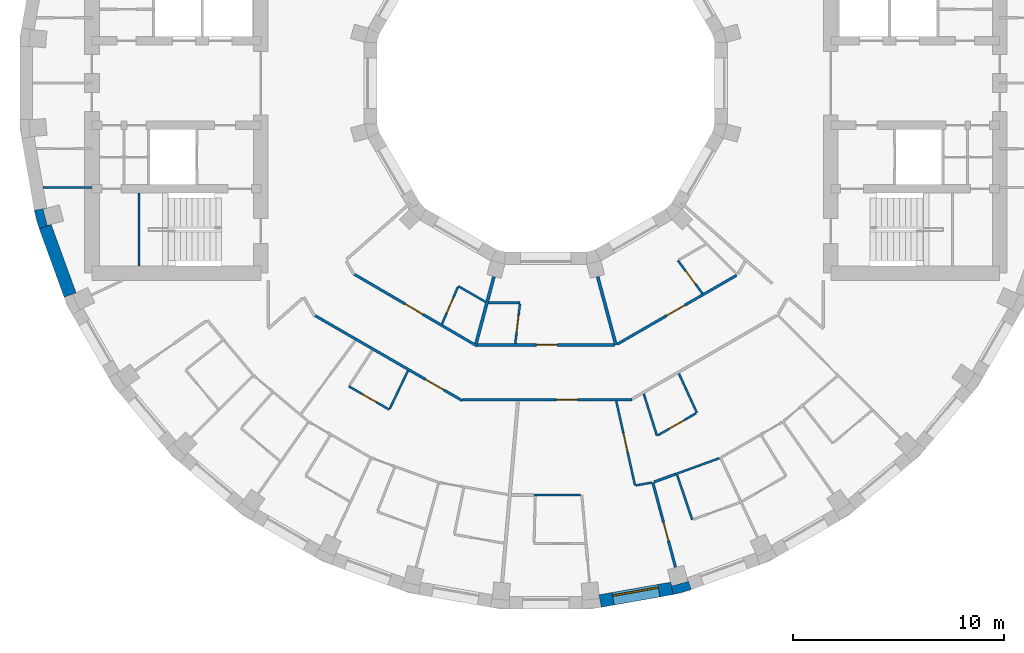
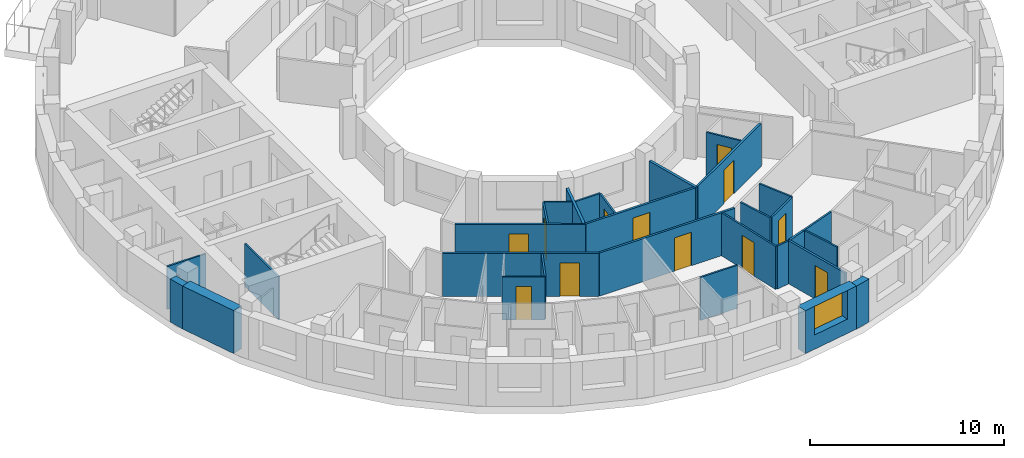
# One storey, part 5 of 14: 30 walls, 12 doors, 1 window, 13 openings.
"""IFC4 building model written with IfcOpenShell, lengths in metres."""

import ifcopenshell
import ifcopenshell.guid

model = None  # the IFC model being written
_history = None  # IfcOwnerHistory: only IFC2X3 demands one
_inside = {}  # id of a spatial element -> (the spatial element, [elements in it])
_under = {}  # id of a project, library or spatial element -> (it, [spatial elements below it])
_declared = {}  # id of a project -> (the project, [libraries it declares])
_typed = {}  # id of a type object -> (the type object, [elements of that type])
_made_of = {}  # id of a material, layer set ... -> (it, [elements and type objects made of it])


def new_model(schema):
    """Start an empty IFC model of exactly this schema.

    Asked for "IFC4X3", IfcOpenShell would pick the latest addendum, in which some entities
    have other attributes; the version numbers below select the first issue.
    IFC2X3 requires an IfcOwnerHistory on every rooted entity: one is made here for all.
    """
    global model, _history
    if schema == "IFC4X3":
        model = ifcopenshell.file(schema_version=(4, 3, 0, 0))
    else:
        model = ifcopenshell.file(schema=schema)
    _inside.clear()
    _under.clear()
    _declared.clear()
    _typed.clear()
    _made_of.clear()
    _history = None
    if model.schema == "IFC2X3":
        org = make("IfcOrganization", Name="unknown")
        user = make(
            "IfcPersonAndOrganization",
            ThePerson=make("IfcPerson", FamilyName="unknown"),
            TheOrganization=org,
        )
        app = make(
            "IfcApplication",
            ApplicationDeveloper=org,
            Version="unknown",
            ApplicationFullName="unknown",
            ApplicationIdentifier="unknown",
        )
        _history = make(
            "IfcOwnerHistory",
            OwningUser=user,
            OwningApplication=app,
            ChangeAction="ADDED",
            CreationDate=0,
        )
    return model


def make(cls, **values):
    """One entity of the class cls with the attributes given. An attribute that is None is left unset."""
    return model.create_entity(
        cls, **{name: value for name, value in values.items() if value is not None}
    )


def rooted(cls, **values):
    """An entity with a GlobalId (a new one), such as an element, a storey or a relation."""
    return make(cls, GlobalId=ifcopenshell.guid.new(), OwnerHistory=_history, **values)


def si_unit(unit_type, name, prefix=None):
    """IfcSIUnit, for example si_unit("LENGTHUNIT", "METRE", prefix="MILLI")."""
    return make("IfcSIUnit", UnitType=unit_type, Prefix=prefix, Name=name)


def assignment(units):
    """IfcUnitAssignment: the units of a project."""
    return None if units is None else make("IfcUnitAssignment", Units=units)


def point(xyz):
    """IfcCartesianPoint."""
    return None if xyz is None else make("IfcCartesianPoint", Coordinates=xyz)


def direction(xyz):
    """IfcDirection."""
    return None if xyz is None else make("IfcDirection", DirectionRatios=xyz)


def frame(location, z_axis=None, x_axis=None):
    """IfcAxis2Placement3D, a coordinate frame: its origin and axes. An axis left out is left unset."""
    return make(
        "IfcAxis2Placement3D",
        Location=point(location),
        Axis=direction(z_axis),
        RefDirection=direction(x_axis),
    )


def frame_2d(location, x_axis=None):
    """IfcAxis2Placement2D, a coordinate frame in the plane: its origin and x axis."""
    return make(
        "IfcAxis2Placement2D", Location=point(location), RefDirection=direction(x_axis)
    )


def origin():
    """The frame at (0, 0, 0) with its axes left unset."""
    return frame((0.0, 0.0, 0.0))


def place(relative_to, where):
    """IfcLocalPlacement: puts the frame where relative to a parent placement (None: the world)."""
    return make(
        "IfcLocalPlacement", PlacementRelTo=relative_to, RelativePlacement=where
    )


def context(
    kind, dimensions, precision=None, world=None, true_north=None, identifier=None
):
    """IfcGeometricRepresentationContext, for example the 3D "Model" context."""
    return make(
        "IfcGeometricRepresentationContext",
        ContextIdentifier=identifier,
        ContextType=kind,
        CoordinateSpaceDimension=dimensions,
        Precision=precision,
        WorldCoordinateSystem=world,
        TrueNorth=true_north,
    )


def subcontext(parent, identifier, kind, view, scale=None):
    """IfcGeometricRepresentationSubContext, for example "Body" below "Model"."""
    return make(
        "IfcGeometricRepresentationSubContext",
        ContextIdentifier=identifier,
        ContextType=kind,
        ParentContext=parent,
        TargetScale=scale,
        TargetView=view,
    )


def project(units=None, contexts=None):
    """IfcProject with its units and contexts."""
    return rooted(
        "IfcProject",
        Name="project",
        RepresentationContexts=contexts,
        UnitsInContext=assignment(units),
    )


def spatial(cls, under=None, at=None, **own):
    """A site, building, storey or space (cls), placed at a placement, below another one or the project."""
    s = rooted(cls, ObjectPlacement=at, **own)
    if under is not None:
        _under.setdefault(under.id(), (under, []))[1].append(s)
    return s


def polyline(points):
    """IfcPolyline through the points."""
    return make("IfcPolyline", Points=[point(p) for p in points])


def profile(cls, at=None, kind="AREA", **sizes):
    """A parametric profile (cls). Its sizes go by their IFC names, for example OverallWidth=200.0."""
    return make(cls, ProfileType=kind, Position=at, **sizes)


def rectangle(**sizes):
    """IfcRectangleProfileDef."""
    return profile("IfcRectangleProfileDef", **sizes)


def outline(outer, holes=None, kind="AREA"):
    """IfcArbitraryClosedProfileDef: a profile drawn as a closed curve; with holes, ...WithVoids."""
    if holes is None:
        return make("IfcArbitraryClosedProfileDef", ProfileType=kind, OuterCurve=outer)
    return make(
        "IfcArbitraryProfileDefWithVoids",
        ProfileType=kind,
        OuterCurve=outer,
        InnerCurves=holes,
    )


def extrude(swept, where, along, depth):
    """IfcExtrudedAreaSolid: the profile swept, set in the frame where, extruded along a direction by depth."""
    return make(
        "IfcExtrudedAreaSolid",
        SweptArea=swept,
        Position=where,
        ExtrudedDirection=direction(along),
        Depth=depth,
    )


def shape(context_of_items, identifier, shape_type, items):
    """IfcShapeRepresentation: the items that make up one representation, for example the "Body"."""
    return make(
        "IfcShapeRepresentation",
        ContextOfItems=context_of_items,
        RepresentationIdentifier=identifier,
        RepresentationType=shape_type,
        Items=items,
    )


def material(Name=None, Category=None):
    """IfcMaterial."""
    return make("IfcMaterial", Name=Name, Category=Category)


def layer(
    of_material, thickness, ventilated=None, Name=None, Category=None, Priority=None
):
    """IfcMaterialLayer: one layer of a wall or slab, of a material (None: an air gap)."""
    return make(
        "IfcMaterialLayer",
        Material=of_material,
        LayerThickness=thickness,
        IsVentilated=ventilated,
        Name=Name,
        Category=Category,
        Priority=Priority,
    )


def layer_set(layers, Name=None):
    """IfcMaterialLayerSet."""
    return make("IfcMaterialLayerSet", MaterialLayers=layers, LayerSetName=Name)


def made_of(thing, what):
    """Note that an element or type object is made of a material, layer set ...; save() writes the relation."""
    if what is not None:
        _made_of.setdefault(what.id(), (what, []))[1].append(thing)
    return thing


def type_object(cls, material=None, **own):
    """A type object (cls), such as IfcWallType, which elements share."""
    return made_of(rooted(cls, **own), material)


def element(
    cls,
    number,
    at=None,
    inside=None,
    cuts=None,
    type_object=None,
    material=None,
    context=None,
    identifier="Body",
    shape_type=None,
    held_by="IfcProductDefinitionShape",
    body=None,
    shapes=None,
    **own,
):
    """One element of the class cls, such as IfcWall. Its Tag is "e" and its number.

    at: its placement. inside: the storey or other place that contains it. cuts: it is an
    opening in that element (IfcRelVoidsElement). A single representation is given by context,
    identifier, shape_type and body (its items); several are given by shapes. held_by: the class
    of the entity that holds the representations. save() writes the other relations.
    """
    e = rooted(cls, Tag="e%d" % number, ObjectPlacement=at, **own)
    if body is not None:
        shapes = [shape(context, identifier, shape_type, body)]
    if shapes is not None:
        e.Representation = make(held_by, Representations=shapes)
    if inside is not None:
        _inside.setdefault(inside.id(), (inside, []))[1].append(e)
    if cuts is not None:
        rooted(
            "IfcRelVoidsElement", RelatingBuildingElement=cuts, RelatedOpeningElement=e
        )
    if type_object is not None:
        _typed.setdefault(type_object.id(), (type_object, []))[1].append(e)
    return made_of(e, material)


def fill(opening, filler):
    """IfcRelFillsElement: the door or window that sits in an opening."""
    return rooted(
        "IfcRelFillsElement",
        RelatingOpeningElement=opening,
        RelatedBuildingElement=filler,
    )


def aggregate(whole, parts):
    """IfcRelAggregates: a whole, such as a stair, and the parts it consists of."""
    return rooted("IfcRelAggregates", RelatingObject=whole, RelatedObjects=parts)


def save(model, path):
    """Write the relations noted so far, then the file.

    IfcRelAggregates (storeys below a building ...), IfcRelContainedInSpatialStructure (elements
    in a storey), IfcRelDefinesByType, IfcRelAssociatesMaterial and IfcRelDeclares: one each for
    every whole, place, type object, material and project.
    """
    for whole, parts in _under.values():
        aggregate(whole, parts)
    for where, things in _inside.values():
        rooted(
            "IfcRelContainedInSpatialStructure",
            RelatedElements=things,
            RelatingStructure=where,
        )
    for kind, things in _typed.values():
        rooted("IfcRelDefinesByType", RelatedObjects=things, RelatingType=kind)
    for what, things in _made_of.values():
        rooted("IfcRelAssociatesMaterial", RelatedObjects=things, RelatingMaterial=what)
    for by, libraries in _declared.values():
        rooted("IfcRelDeclares", RelatingContext=by, RelatedDefinitions=libraries)
    model.write(path)


model = new_model("IFC4")

# Units and contexts
model_context = context("Model", 3, precision=1e-05, world=origin(), true_north=direction((0.0, 1.0)))
body_context = subcontext(model_context, "Body", "Model", "MODEL_VIEW")
ifc_project = project(units=[si_unit("LENGTHUNIT", "METRE"), si_unit("AREAUNIT", "SQUARE_METRE"), si_unit("VOLUMEUNIT", "CUBIC_METRE"), si_unit("PLANEANGLEUNIT", "RADIAN"), si_unit("MASSUNIT", "GRAM", prefix="KILO")], contexts=[model_context])

# Site, building, storey
site_placement = place(None, origin())
site = spatial("IfcSite", under=ifc_project, at=site_placement, CompositionType="ELEMENT")
building_placement = place(site_placement, origin())
building = spatial("IfcBuilding", under=site, at=building_placement, Name="Saqina Gate Tower", CompositionType="ELEMENT")
storey_placement = place(building_placement, frame((0.0, 0.0, 216.89990234375)))
storey = spatial("IfcBuildingStorey", under=building, at=storey_placement, Name="L62", CompositionType="ELEMENT", Elevation=216.89990234375)

# Walls
ifc_material_1 = material(Name="Brick masonry (buff)", Category="masonry")
wall_type_1 = type_object("IfcWallType", Name="BRICK PIER COPING BUFF", PredefinedType="SOLIDWALL", material=ifc_material_1)
wall_1_placement = place(storey_placement, origin())
element("IfcWall", 1, at=wall_1_placement, inside=storey, type_object=wall_type_1, Name="Pier cap L62 column 20", PredefinedType="SOLIDWALL", context=body_context, shape_type="SweptSolid", body=[
    extrude(outline(polyline([(-24.22705078125, -6.0234375), (-23.992919921875, -6.897216796875), (-23.428955078125, -6.69189453125), (-23.610107421875, -6.740478515625), (-23.81689453125, -5.967529296875), (-23.635986328125, -5.919189453125), (-24.22705078125, -6.0234375)])), origin(), (0.0, 0.0, 1.0), 2.7001953125),
])
wall_2_placement = place(storey_placement, origin())
element("IfcWall", 2, at=wall_2_placement, inside=storey, type_object=wall_type_1, Name="Pier cap L62 column 29", PredefinedType="SOLIDWALL", context=body_context, shape_type="SweptSolid", body=[
    extrude(outline(polyline([(6.0234375, -24.22705078125), (6.897216796875, -23.992919921875), (6.69189453125, -23.428955078125), (6.740478515625, -23.610107421875), (5.967529296875, -23.81689453125), (5.919189453125, -23.635986328125), (6.0234375, -24.22705078125)])), origin(), (0.0, 0.0, 1.0), 2.7001953125),
])
ifc_material_2 = material(Name="Gypsum board on steel studs", Category="steel")
ifc_layer_1 = layer(ifc_material_2, 0.10009765625)
ifc_layer_set_1 = layer_set([ifc_layer_1], Name="CORE PARTITION")
wall_type_2 = type_object("IfcWallType", Name="CORE PARTITION", PredefinedType="PARTITIONING", material=ifc_layer_set_1)
wall_3_placement = place(storey_placement, frame((-21.5, -4.949951171875, 0.0), z_axis=(0.0, 0.0, 1.0), x_axis=(-1.0, 0.0, 0.0)))
element("IfcWall", 3, at=wall_3_placement, inside=storey, type_object=wall_type_2, Name="L62-CP-W03", PredefinedType="PARTITIONING", context=body_context, shape_type="SweptSolid", body=[
    extrude(rectangle(XDim=2.306884765625, YDim=0.10009765625, at=frame_2d((1.1533203125, 0.0))), origin(), (0.0, 0.0, 1.0), 2.7001953125),
])

# Wall, opening, window
ifc_material_3 = material(Name="Brick masonry (buff)", Category="masonry")
ifc_layer_2 = layer(ifc_material_3, 0.60009765625)
ifc_layer_set_2 = layer_set([ifc_layer_2], Name="FW-BRICK-BUFF")
wall_type_3 = type_object("IfcWallType", Name="FW-BRICK-BUFF", PredefinedType="SOLIDWALL", material=ifc_layer_set_2)
wall_4_placement = place(storey_placement, frame((2.573974609375, -24.530517578125, 0.0), z_axis=(0.0, 0.0, 1.0), x_axis=(0.984814892183, 0.173607684551, 0.0)))
wall_4 = element("IfcWall", 4, at=wall_4_placement, inside=storey, type_object=wall_type_3, Name="Facade wall L62 facet 28", PredefinedType="SOLIDWALL", context=body_context, shape_type="SweptSolid", body=[
    extrude(rectangle(XDim=3.44970703125, YDim=0.60009765625, at=frame_2d((1.724853515625, 0.0))), origin(), (0.0, 0.0, 1.0), 2.7001953125),
])
opening_1_placement = place(wall_4_placement, frame((0.625, 0.0, 0.89990234375)))
opening_1 = element("IfcOpeningElement", 5, at=opening_1_placement, cuts=wall_4, Name="Opening G18-W17", PredefinedType="OPENING", context=body_context, shape_type="SweptSolid", body=[
    extrude(rectangle(XDim=2.199951171875, YDim=1.800048828125, at=frame_2d((1.10009765625, 0.89990234375))), frame((0.0, 0.31201171875, 0.0), z_axis=(0.0, -1.0, 0.0), x_axis=(1.0, 0.0, 0.0)), (0.0, 0.0, 1.0), 0.6240234375),
])
ifc_material_4 = material(Name="Aluminium glazing", Category="aluminium")
window_type = type_object("IfcWindowType", Name="WN-C", PartitioningType="SINGLE_PANEL", PredefinedType="WINDOW", material=ifc_material_4)
window_placement = place(opening_1_placement, origin())
window = element("IfcWindow", 6, at=window_placement, inside=storey, type_object=window_type, Name="Window L62 facet 28", OverallHeight=1.800048828125, OverallWidth=2.199951171875, PartitioningType="SINGLE_PANEL", PredefinedType="WINDOW", context=body_context, shape_type="SweptSolid", body=[
    extrude(rectangle(XDim=2.199951171875, YDim=1.800048828125, at=frame_2d((1.10009765625, 0.89990234375))), frame((0.0, 0.179931640625, 0.0), z_axis=(0.0, -1.0, 0.0), x_axis=(1.0, 0.0, 0.0)), (0.0, 0.0, 1.0), 0.06005859375),
])
fill(opening_1, window)

# Wall
ifc_material_5 = material(Name="Glazed ceramic tile (dark blue)", Category="ceramic")
ifc_layer_3 = layer(ifc_material_5, 0.60009765625)
ifc_layer_set_3 = layer_set([ifc_layer_3], Name="FW-TILE-CB")
wall_type_4 = type_object("IfcWallType", Name="FW-TILE-CB", PredefinedType="SOLIDWALL", material=ifc_layer_set_3)
wall_5_placement = place(storey_placement, frame((-23.7109375, -6.79443359375, 0.0), z_axis=(0.0, 0.0, 1.0), x_axis=(0.342032843455, -0.93968799822, 0.0)))
element("IfcWall", 7, at=wall_5_placement, inside=storey, type_object=wall_type_4, Name="Facade wall L62 facet 20", PredefinedType="SOLIDWALL", context=body_context, shape_type="SweptSolid", body=[
    extrude(rectangle(XDim=3.44970703125, YDim=0.60009765625, at=frame_2d((1.724853515625, 0.0))), origin(), (0.0, 0.0, 1.0), 2.7001953125),
])

# Wall, opening, door
ifc_material_6 = material(Name="Gypsum board on steel studs, 100 mm", Category="steel")
ifc_layer_4 = layer(ifc_material_6, 0.10009765625)
ifc_layer_set_4 = layer_set([ifc_layer_4], Name="PARTITION 100")
wall_type_5 = type_object("IfcWallType", Name="PARTITION 100", PredefinedType="PARTITIONING", material=ifc_layer_set_4)
wall_6_placement = place(storey_placement, frame((3.33837890625, -15.06103515625, 0.0), z_axis=(0.0, 0.0, 1.0), x_axis=(0.216772684832, -0.976222107469, 0.0)))
wall_6 = element("IfcWall", 8, at=wall_6_placement, inside=storey, type_object=wall_type_5, Name="PARTITION PW3-03", PredefinedType="PARTITIONING", context=body_context, shape_type="SweptSolid", body=[
    extrude(rectangle(XDim=4.09619140625, YDim=0.10009765625, at=frame_2d((2.048095703125, 0.0))), origin(), (0.0, 0.0, 1.0), 2.7001953125),
])
opening_2_placement = place(wall_6_placement, frame((1.56640625, 0.0, 0.0)))
opening_2 = element("IfcOpeningElement", 9, at=opening_2_placement, cuts=wall_6, Name="Opening G18-D46", PredefinedType="OPENING", context=body_context, shape_type="SweptSolid", body=[
    extrude(rectangle(XDim=0.89990234375, YDim=2.10009765625, at=frame_2d((0.449951171875, 1.050048828125))), frame((0.0, 0.06201171875, 0.0), z_axis=(0.0, -1.0, 0.0), x_axis=(1.0, 0.0, 0.0)), (0.0, 0.0, 1.0), 0.1240234375),
])
ifc_material_7 = material(Name="Timber door leaf, 900 mm", Category="wood")
door_type_1 = type_object("IfcDoorType", Name="DOOR 900 TIMBER", OperationType="SINGLE_SWING_LEFT", PredefinedType="DOOR", material=ifc_material_7)
door_1_placement = place(opening_2_placement, frame((0.89990234375, 0.0, 0.0), z_axis=(0.0, 0.0, 1.0), x_axis=(-1.0, 0.0, 0.0)))
door_1 = element("IfcDoor", 10, at=door_1_placement, inside=storey, type_object=door_type_1, Name="DOOR G18-D46", OperationType="SINGLE_SWING_RIGHT", OverallHeight=2.10009765625, OverallWidth=0.89990234375, PredefinedType="DOOR", context=body_context, shape_type="SweptSolid", body=[
    extrude(rectangle(XDim=0.89990234375, YDim=2.10009765625, at=frame_2d((0.449951171875, 1.050048828125))), frame((0.0, 0.02490234375, 0.0), z_axis=(0.0, -1.0, 0.0), x_axis=(1.0, 0.0, 0.0)), (0.0, 0.0, 1.0), 0.050048828125),
])
fill(opening_2, door_1)

# Walls
wall_7_placement = place(storey_placement, frame((4.638916015625, -14.712646484375, 0.0), z_axis=(0.0, 0.0, 1.0), x_axis=(0.300689491928, -0.953722092354, 0.0)))
element("IfcWall", 11, at=wall_7_placement, inside=storey, type_object=wall_type_5, Name="PARTITION PW3-05", PredefinedType="PARTITIONING", context=body_context, shape_type="SweptSolid", body=[
    extrude(rectangle(XDim=2.089111328125, YDim=0.10009765625, at=frame_2d((1.04443359375, 0.0))), origin(), (0.0, 0.0, 1.0), 2.7001953125),
])
wall_8_placement = place(storey_placement, frame((6.222900390625, -18.558349609375, 0.0), z_axis=(0.0, 0.0, 1.0), x_axis=(0.318223462583, -0.948015731864, 0.0)))
element("IfcWall", 12, at=wall_8_placement, inside=storey, type_object=wall_type_5, Name="PARTITION PW3-06", PredefinedType="PARTITIONING", context=body_context, shape_type="SweptSolid", body=[
    extrude(rectangle(XDim=2.238037109375, YDim=0.10009765625, at=frame_2d((1.119140625, 0.0))), origin(), (0.0, 0.0, 1.0), 2.7001953125),
])
wall_9_placement = place(storey_placement, frame((6.303955078125, -13.7529296875, 0.0), z_axis=(0.0, 0.0, 1.0), x_axis=(0.41684777826, -0.90897630869, 0.0)))
element("IfcWall", 13, at=wall_9_placement, inside=storey, type_object=wall_type_5, Name="PARTITION PW3-08", PredefinedType="PARTITIONING", context=body_context, shape_type="SweptSolid", body=[
    extrude(rectangle(XDim=2.04638671875, YDim=0.10009765625, at=frame_2d((1.023193359375, 0.0))), origin(), (0.0, 0.0, 1.0), 2.7001953125),
])

# Wall, opening, door
wall_10_placement = place(storey_placement, frame((6.2548828125, -8.39697265625, 0.0), z_axis=(0.0, 0.0, 1.0), x_axis=(0.597394562497, -0.801947465049, 0.0)))
wall_10 = element("IfcWall", 14, at=wall_10_placement, inside=storey, type_object=wall_type_5, Name="PARTITION PW3-13", PredefinedType="PARTITIONING", context=body_context, shape_type="SweptSolid", body=[
    extrude(rectangle(XDim=1.951416015625, YDim=0.10009765625, at=frame_2d((0.9755859375, 0.0))), origin(), (0.0, 0.0, 1.0), 2.7001953125),
])
opening_3_placement = place(wall_10_placement, frame((0.60693359375, 0.0, 0.0)))
opening_3 = element("IfcOpeningElement", 15, at=opening_3_placement, cuts=wall_10, Name="Opening G18-D53", PredefinedType="OPENING", context=body_context, shape_type="SweptSolid", body=[
    extrude(rectangle(XDim=0.800048828125, YDim=2.10009765625, at=frame_2d((0.39990234375, 1.050048828125))), frame((0.0, 0.06201171875, 0.0), z_axis=(0.0, -1.0, 0.0), x_axis=(1.0, 0.0, 0.0)), (0.0, 0.0, 1.0), 0.1240234375),
])
ifc_material_8 = material(Name="Timber door leaf, 800 mm", Category="wood")
door_type_2 = type_object("IfcDoorType", Name="DOOR 800 TIMBER", OperationType="SINGLE_SWING_LEFT", PredefinedType="DOOR", material=ifc_material_8)
door_2_placement = place(opening_3_placement, frame((0.800048828125, 0.0, 0.0), z_axis=(0.0, 0.0, 1.0), x_axis=(-1.0, 0.0, 0.0)))
door_2 = element("IfcDoor", 16, at=door_2_placement, inside=storey, type_object=door_type_2, Name="DOOR G18-D53", OperationType="SINGLE_SWING_LEFT", OverallHeight=2.10009765625, OverallWidth=0.800048828125, PredefinedType="DOOR", context=body_context, shape_type="SweptSolid", body=[
    extrude(rectangle(XDim=0.800048828125, YDim=2.10009765625, at=frame_2d((0.39990234375, 1.050048828125))), frame((0.0, 0.02490234375, 0.0), z_axis=(0.0, -1.0, 0.0), x_axis=(1.0, 0.0, 0.0)), (0.0, 0.0, 1.0), 0.050048828125),
])
fill(opening_3, door_2)

wall_11_placement = place(storey_placement, frame((-9.325927734375, -14.361083984375, 0.0), z_axis=(0.0, 0.0, 1.0), x_axis=(0.866099077695, -0.499872371326, 0.0)))
wall_11 = element("IfcWall", 17, at=wall_11_placement, inside=storey, type_object=wall_type_5, Name="PARTITION PW3-27", PredefinedType="PARTITIONING", context=body_context, shape_type="SweptSolid", body=[
    extrude(rectangle(XDim=2.20849609375, YDim=0.10009765625, at=frame_2d((1.104248046875, 0.0))), origin(), (0.0, 0.0, 1.0), 2.7001953125),
])
opening_4_placement = place(wall_11_placement, frame((0.704345703125, 0.0, 0.0)))
opening_4 = element("IfcOpeningElement", 18, at=opening_4_placement, cuts=wall_11, Name="Opening G18-D33", PredefinedType="OPENING", context=body_context, shape_type="SweptSolid", body=[
    extrude(rectangle(XDim=0.800048828125, YDim=2.10009765625, at=frame_2d((0.39990234375, 1.050048828125))), frame((0.0, 0.06201171875, 0.0), z_axis=(0.0, -1.0, 0.0), x_axis=(1.0, 0.0, 0.0)), (0.0, 0.0, 1.0), 0.1240234375),
])
door_3_placement = place(opening_4_placement, frame((0.800048828125, 0.0, 0.0), z_axis=(0.0, 0.0, 1.0), x_axis=(-1.0, 0.0, 0.0)))
door_3 = element("IfcDoor", 19, at=door_3_placement, inside=storey, type_object=door_type_2, Name="DOOR G18-D33", OperationType="SINGLE_SWING_LEFT", OverallHeight=2.10009765625, OverallWidth=0.800048828125, PredefinedType="DOOR", context=body_context, shape_type="SweptSolid", body=[
    extrude(rectangle(XDim=0.800048828125, YDim=2.10009765625, at=frame_2d((0.39990234375, 1.050048828125))), frame((0.0, 0.02490234375, 0.0), z_axis=(0.0, -1.0, 0.0), x_axis=(1.0, 0.0, 0.0)), (0.0, 0.0, 1.0), 0.050048828125),
])
fill(opening_4, door_3)

# Walls
wall_12_placement = place(storey_placement, frame((-4.14501953125, -9.615966796875, 0.0), z_axis=(0.0, 0.0, 1.0), x_axis=(0.866000409959, -0.500043288077, 0.0)))
element("IfcWall", 20, at=wall_12_placement, inside=storey, type_object=wall_type_5, Name="PARTITION PW3-28", PredefinedType="PARTITIONING", context=body_context, shape_type="SweptSolid", body=[
    extrude(rectangle(XDim=1.492919921875, YDim=0.10009765625, at=frame_2d((0.74658203125, 0.0))), origin(), (0.0, 0.0, 1.0), 2.7001953125),
])
wall_13_placement = place(storey_placement, frame((-0.548095703125, -19.5048828125, 0.0), z_axis=(0.0, 0.0, 1.0), x_axis=(1.0, 0.0, 0.0)))
element("IfcWall", 21, at=wall_13_placement, inside=storey, type_object=wall_type_5, Name="PARTITION PW3-43", PredefinedType="PARTITIONING", context=body_context, shape_type="SweptSolid", body=[
    extrude(rectangle(XDim=2.2021484375, YDim=0.10009765625, at=frame_2d((1.10107421875, 0.0))), origin(), (0.0, 0.0, 1.0), 2.7001953125),
])
wall_14_placement = place(storey_placement, frame((-2.7119140625, -10.39990234375, 0.0), z_axis=(0.0, 0.0, 1.0), x_axis=(1.0, 0.0, 0.0)))
element("IfcWall", 22, at=wall_14_placement, inside=storey, type_object=wall_type_5, Name="PARTITION PW3-44", PredefinedType="PARTITIONING", context=body_context, shape_type="SweptSolid", body=[
    extrude(rectangle(XDim=1.492919921875, YDim=0.10009765625, at=frame_2d((0.74658203125, 0.0))), origin(), (0.0, 0.0, 1.0), 2.7001953125),
])
wall_15_placement = place(storey_placement, frame((4.2763671875, -19.051513671875, 0.0), z_axis=(0.0, 0.0, 1.0), x_axis=(0.984820011125, 0.173578644101, 0.0)))
element("IfcWall", 23, at=wall_15_placement, inside=storey, type_object=wall_type_5, Name="PARTITION PW3-48", PredefinedType="PARTITIONING", context=body_context, shape_type="SweptSolid", body=[
    extrude(rectangle(XDim=0.7412109375, YDim=0.10009765625, at=frame_2d((0.37060546875, 0.0))), origin(), (0.0, 0.0, 1.0), 2.7001953125),
])
wall_16_placement = place(storey_placement, frame((6.156005859375, -18.51611328125, 0.0), z_axis=(0.0, 0.0, 1.0), x_axis=(0.939728749343, 0.341920864613, 0.0)))
element("IfcWall", 24, at=wall_16_placement, inside=storey, type_object=wall_type_5, Name="PARTITION PW3-51", PredefinedType="PARTITIONING", context=body_context, shape_type="SweptSolid", body=[
    extrude(rectangle(XDim=2.204833984375, YDim=0.10009765625, at=frame_2d((1.1025390625, 0.0))), origin(), (0.0, 0.0, 1.0), 2.7001953125),
])

# Wall, opening, door
wall_17_placement = place(storey_placement, frame((5.310302734375, -16.679931640625, 0.0), z_axis=(0.0, 0.0, 1.0), x_axis=(0.865867329874, 0.500273692149, 0.0)))
wall_17 = element("IfcWall", 25, at=wall_17_placement, inside=storey, type_object=wall_type_5, Name="PARTITION PW3-57", PredefinedType="PARTITIONING", context=body_context, shape_type="SweptSolid", body=[
    extrude(rectangle(XDim=2.082763671875, YDim=0.10009765625, at=frame_2d((1.04150390625, 0.0))), origin(), (0.0, 0.0, 1.0), 2.7001953125),
])
opening_5_placement = place(wall_17_placement, frame((0.641357421875, 0.0, 0.0)))
opening_5 = element("IfcOpeningElement", 26, at=opening_5_placement, cuts=wall_17, Name="Opening G18-D48", PredefinedType="OPENING", context=body_context, shape_type="SweptSolid", body=[
    extrude(rectangle(XDim=0.800048828125, YDim=2.10009765625, at=frame_2d((0.39990234375, 1.050048828125))), frame((0.0, 0.06201171875, 0.0), z_axis=(0.0, -1.0, 0.0), x_axis=(1.0, 0.0, 0.0)), (0.0, 0.0, 1.0), 0.1240234375),
])
door_4_placement = place(opening_5_placement, frame((0.800048828125, 0.0, 0.0), z_axis=(0.0, 0.0, 1.0), x_axis=(-1.0, 0.0, 0.0)))
door_4 = element("IfcDoor", 27, at=door_4_placement, inside=storey, type_object=door_type_2, Name="DOOR G18-D48", OperationType="SINGLE_SWING_LEFT", OverallHeight=2.10009765625, OverallWidth=0.800048828125, PredefinedType="DOOR", context=body_context, shape_type="SweptSolid", body=[
    extrude(rectangle(XDim=0.800048828125, YDim=2.10009765625, at=frame_2d((0.39990234375, 1.050048828125))), frame((0.0, 0.02490234375, 0.0), z_axis=(0.0, -1.0, 0.0), x_axis=(1.0, 0.0, 0.0)), (0.0, 0.0, 1.0), 0.050048828125),
])
fill(opening_5, door_4)

# Wall
wall_18_placement = place(storey_placement, frame((-7.391357421875, -15.419921875, 0.0), z_axis=(0.0, 0.0, 1.0), x_axis=(0.432109804396, 0.901821000501, 0.0)))
element("IfcWall", 28, at=wall_18_placement, inside=storey, type_object=wall_type_5, Name="PARTITION PW3-78", PredefinedType="PARTITIONING", context=body_context, shape_type="SweptSolid", body=[
    extrude(rectangle(XDim=1.993408203125, YDim=0.10009765625, at=frame_2d((0.99658203125, 0.0))), origin(), (0.0, 0.0, 1.0), 2.7001953125),
])

# Wall, opening, door
wall_19_placement = place(storey_placement, frame((-4.917236328125, -11.40771484375, 0.0), z_axis=(0.0, 0.0, 1.0), x_axis=(0.395793869696, 0.918339377742, 0.0)))
wall_19 = element("IfcWall", 29, at=wall_19_placement, inside=storey, type_object=wall_type_5, Name="PARTITION PW3-81", PredefinedType="PARTITIONING", context=body_context, shape_type="SweptSolid", body=[
    extrude(rectangle(XDim=1.901123046875, YDim=0.10009765625, at=frame_2d((0.95068359375, 0.0))), origin(), (0.0, 0.0, 1.0), 2.7001953125),
])
opening_6_placement = place(wall_19_placement, frame((0.544189453125, 0.0, 0.0)))
opening_6 = element("IfcOpeningElement", 30, at=opening_6_placement, cuts=wall_19, Name="Opening G18-D35", PredefinedType="OPENING", context=body_context, shape_type="SweptSolid", body=[
    extrude(rectangle(XDim=0.800048828125, YDim=2.10009765625, at=frame_2d((0.39990234375, 1.050048828125))), frame((0.0, 0.06201171875, 0.0), z_axis=(0.0, -1.0, 0.0), x_axis=(1.0, 0.0, 0.0)), (0.0, 0.0, 1.0), 0.1240234375),
])
door_5_placement = place(opening_6_placement, origin())
door_5 = element("IfcDoor", 31, at=door_5_placement, inside=storey, type_object=door_type_2, Name="DOOR G18-D35", OperationType="SINGLE_SWING_LEFT", OverallHeight=2.10009765625, OverallWidth=0.800048828125, PredefinedType="DOOR", context=body_context, shape_type="SweptSolid", body=[
    extrude(rectangle(XDim=0.800048828125, YDim=2.10009765625, at=frame_2d((0.39990234375, 1.050048828125))), frame((0.0, 0.02490234375, 0.0), z_axis=(0.0, -1.0, 0.0), x_axis=(1.0, 0.0, 0.0)), (0.0, 0.0, 1.0), 0.050048828125),
])
fill(opening_6, door_5)

wall_20_placement = place(storey_placement, frame((-1.44580078125, -12.337890625, 0.0), z_axis=(0.0, 0.0, 1.0), x_axis=(0.116222778511, 0.993223170166, 0.0)))
wall_20 = element("IfcWall", 32, at=wall_20_placement, inside=storey, type_object=wall_type_5, Name="PARTITION PW3-90", PredefinedType="PARTITIONING", context=body_context, shape_type="SweptSolid", body=[
    extrude(rectangle(XDim=1.901123046875, YDim=0.10009765625, at=frame_2d((0.95068359375, 0.0))), origin(), (0.0, 0.0, 1.0), 2.7001953125),
])
opening_7_placement = place(wall_20_placement, frame((0.544189453125, 0.0, 0.0)))
opening_7 = element("IfcOpeningElement", 33, at=opening_7_placement, cuts=wall_20, Name="Opening G18-D41", PredefinedType="OPENING", context=body_context, shape_type="SweptSolid", body=[
    extrude(rectangle(XDim=0.800048828125, YDim=2.10009765625, at=frame_2d((0.39990234375, 1.050048828125))), frame((0.0, 0.06201171875, 0.0), z_axis=(0.0, -1.0, 0.0), x_axis=(1.0, 0.0, 0.0)), (0.0, 0.0, 1.0), 0.1240234375),
])
door_6_placement = place(opening_7_placement, frame((0.800048828125, 0.0, 0.0), z_axis=(0.0, 0.0, 1.0), x_axis=(-1.0, 0.0, 0.0)))
door_6 = element("IfcDoor", 34, at=door_6_placement, inside=storey, type_object=door_type_2, Name="DOOR G18-D41", OperationType="SINGLE_SWING_RIGHT", OverallHeight=2.10009765625, OverallWidth=0.800048828125, PredefinedType="DOOR", context=body_context, shape_type="SweptSolid", body=[
    extrude(rectangle(XDim=0.800048828125, YDim=2.10009765625, at=frame_2d((0.39990234375, 1.050048828125))), frame((0.0, 0.02490234375, 0.0), z_axis=(0.0, -1.0, 0.0), x_axis=(1.0, 0.0, 0.0)), (0.0, 0.0, 1.0), 0.050048828125),
])
fill(opening_7, door_6)

ifc_material_9 = material(Name="Gypsum board on steel studs, 125 mm, fire rated", Category="steel")
ifc_layer_5 = layer(ifc_material_9, 0.125)
ifc_layer_set_5 = layer_set([ifc_layer_5], Name="PARTITION EI 30 125")
wall_type_6 = type_object("IfcWallType", Name="PARTITION EI 30 125", PredefinedType="PARTITIONING", material=ifc_layer_set_5)
wall_21_placement = place(storey_placement, frame((5.068115234375, -18.912109375, 0.0), z_axis=(0.0, 0.0, 1.0), x_axis=(0.258780082079, -0.965936265557, 0.0)))
wall_21 = element("IfcWall", 35, at=wall_21_placement, inside=storey, type_object=wall_type_6, Name="PARTITION PW1-03", PredefinedType="PARTITIONING", context=body_context, shape_type="SweptSolid", body=[
    extrude(rectangle(XDim=4.160400390625, YDim=0.125, at=frame_2d((2.080078125, 0.0))), origin(), (0.0, 0.0, 1.0), 2.7001953125),
])
opening_8_placement = place(wall_21_placement, frame((1.958984375, 0.0, 0.0)))
opening_8 = element("IfcOpeningElement", 36, at=opening_8_placement, cuts=wall_21, Name="Opening G18-D47", PredefinedType="OPENING", context=body_context, shape_type="SweptSolid", body=[
    extrude(rectangle(XDim=0.89990234375, YDim=2.10009765625, at=frame_2d((0.449951171875, 1.050048828125))), frame((0.0, 0.074462890625, 0.0), z_axis=(0.0, -1.0, 0.0), x_axis=(1.0, 0.0, 0.0)), (0.0, 0.0, 1.0), 0.14892578125),
])
ifc_material_10 = material(Name="Fire door leaf EI 30, 900 mm")
door_type_3 = type_object("IfcDoorType", Name="DOOR 900 EI 30", OperationType="SINGLE_SWING_LEFT", PredefinedType="DOOR", material=ifc_material_10)
door_7_placement = place(opening_8_placement, frame((0.89990234375, 0.0, 0.0), z_axis=(0.0, 0.0, 1.0), x_axis=(-1.0, 0.0, 0.0)))
door_7 = element("IfcDoor", 37, at=door_7_placement, inside=storey, type_object=door_type_3, Name="DOOR G18-D47", OperationType="SINGLE_SWING_LEFT", OverallHeight=2.10009765625, OverallWidth=0.89990234375, PredefinedType="DOOR", context=body_context, shape_type="SweptSolid", body=[
    extrude(rectangle(XDim=0.89990234375, YDim=2.10009765625, at=frame_2d((0.449951171875, 1.050048828125))), frame((0.0, 0.02490234375, 0.0), z_axis=(0.0, -1.0, 0.0), x_axis=(1.0, 0.0, 0.0)), (0.0, 0.0, 1.0), 0.050048828125),
])
fill(opening_8, door_7)

wall_22_placement = place(storey_placement, frame((-9.064453125, -9.0556640625, 0.0), z_axis=(0.0, 0.0, 1.0), x_axis=(0.863361054342, -0.504586652464, 0.0)))
wall_22 = element("IfcWall", 38, at=wall_22_placement, inside=storey, type_object=wall_type_6, Name="PARTITION PW1-17", PredefinedType="PARTITIONING", context=body_context, shape_type="SweptSolid", body=[
    extrude(rectangle(XDim=6.722412109375, YDim=0.125, at=frame_2d((3.361328125, 0.0))), origin(), (0.0, 0.0, 1.0), 2.7001953125),
])
opening_9_placement = place(wall_22_placement, frame((2.771484375, 0.0, 0.0)))
opening_9 = element("IfcOpeningElement", 39, at=opening_9_placement, cuts=wall_22, Name="Opening G18-D32", PredefinedType="OPENING", context=body_context, shape_type="SweptSolid", body=[
    extrude(rectangle(XDim=1.0, YDim=2.10009765625, at=frame_2d((0.5, 1.050048828125))), frame((0.0, 0.074462890625, 0.0), z_axis=(0.0, -1.0, 0.0), x_axis=(1.0, 0.0, 0.0)), (0.0, 0.0, 1.0), 0.14892578125),
])
ifc_material_11 = material(Name="Fire door leaf EI 30, 1000 mm")
door_type_4 = type_object("IfcDoorType", Name="DOOR 1000 EI 30", OperationType="SINGLE_SWING_LEFT", PredefinedType="DOOR", material=ifc_material_11)
door_8_placement = place(opening_9_placement, origin())
door_8 = element("IfcDoor", 40, at=door_8_placement, inside=storey, type_object=door_type_4, Name="DOOR G18-D32", OperationType="SINGLE_SWING_LEFT", OverallHeight=2.10009765625, OverallWidth=1.0, PredefinedType="DOOR", context=body_context, shape_type="SweptSolid", body=[
    extrude(rectangle(XDim=1.0, YDim=2.10009765625, at=frame_2d((0.5, 1.050048828125))), frame((0.0, 0.02490234375, 0.0), z_axis=(0.0, -1.0, 0.0), x_axis=(1.0, 0.0, 0.0)), (0.0, 0.0, 1.0), 0.050048828125),
])
fill(opening_9, door_8)

wall_23_placement = place(storey_placement, frame((-10.9267578125, -11.01220703125, 0.0), z_axis=(0.0, 0.0, 1.0), x_axis=(0.866043138087, -0.49996928203, 0.0)))
wall_23 = element("IfcWall", 41, at=wall_23_placement, inside=storey, type_object=wall_type_6, Name="PARTITION PW1-20", PredefinedType="PARTITIONING", context=body_context, shape_type="SweptSolid", body=[
    extrude(rectangle(XDim=8.04833984375, YDim=0.125, at=frame_2d((4.024169921875, 0.0))), origin(), (0.0, 0.0, 1.0), 2.7001953125),
])
opening_10_placement = place(wall_23_placement, frame((6.042236328125, 0.0, 0.0)))
opening_10 = element("IfcOpeningElement", 42, at=opening_10_placement, cuts=wall_23, Name="Opening G18-D37", PredefinedType="OPENING", context=body_context, shape_type="SweptSolid", body=[
    extrude(rectangle(XDim=1.0, YDim=2.10009765625, at=frame_2d((0.5, 1.050048828125))), frame((0.0, 0.074462890625, 0.0), z_axis=(0.0, -1.0, 0.0), x_axis=(1.0, 0.0, 0.0)), (0.0, 0.0, 1.0), 0.14892578125),
])
door_9_placement = place(opening_10_placement, frame((1.0, 0.0, 0.0), z_axis=(0.0, 0.0, 1.0), x_axis=(-1.0, 0.0, 0.0)))
door_9 = element("IfcDoor", 43, at=door_9_placement, inside=storey, type_object=door_type_4, Name="DOOR G18-D37", OperationType="SINGLE_SWING_LEFT", OverallHeight=2.10009765625, OverallWidth=1.0, PredefinedType="DOOR", context=body_context, shape_type="SweptSolid", body=[
    extrude(rectangle(XDim=1.0, YDim=2.10009765625, at=frame_2d((0.5, 1.050048828125))), frame((0.0, 0.02490234375, 0.0), z_axis=(0.0, -1.0, 0.0), x_axis=(1.0, 0.0, 0.0)), (0.0, 0.0, 1.0), 0.050048828125),
])
fill(opening_10, door_9)

wall_24_placement = place(storey_placement, frame((-3.95654296875, -15.0, 0.0), z_axis=(0.0, 0.0, 1.0), x_axis=(1.0, 0.0, 0.0)))
wall_24 = element("IfcWall", 44, at=wall_24_placement, inside=storey, type_object=wall_type_6, Name="PARTITION PW1-28", PredefinedType="PARTITIONING", context=body_context, shape_type="SweptSolid", body=[
    extrude(rectangle(XDim=8.047607421875, YDim=0.125, at=frame_2d((4.02392578125, 0.0))), origin(), (0.0, 0.0, 1.0), 2.7001953125),
])
opening_11_placement = place(wall_24_placement, frame((4.462890625, 0.0, 0.0)))
opening_11 = element("IfcOpeningElement", 45, at=opening_11_placement, cuts=wall_24, Name="Opening G18-D44", PredefinedType="OPENING", context=body_context, shape_type="SweptSolid", body=[
    extrude(rectangle(XDim=1.0, YDim=2.10009765625, at=frame_2d((0.5, 1.050048828125))), frame((0.0, 0.074462890625, 0.0), z_axis=(0.0, -1.0, 0.0), x_axis=(1.0, 0.0, 0.0)), (0.0, 0.0, 1.0), 0.14892578125),
])
door_10_placement = place(opening_11_placement, frame((1.0, 0.0, 0.0), z_axis=(0.0, 0.0, 1.0), x_axis=(-1.0, 0.0, 0.0)))
door_10 = element("IfcDoor", 46, at=door_10_placement, inside=storey, type_object=door_type_4, Name="DOOR G18-D44", OperationType="SINGLE_SWING_LEFT", OverallHeight=2.10009765625, OverallWidth=1.0, PredefinedType="DOOR", context=body_context, shape_type="SweptSolid", body=[
    extrude(rectangle(XDim=1.0, YDim=2.10009765625, at=frame_2d((0.5, 1.050048828125))), frame((0.0, 0.02490234375, 0.0), z_axis=(0.0, -1.0, 0.0), x_axis=(1.0, 0.0, 0.0)), (0.0, 0.0, 1.0), 0.050048828125),
])
fill(opening_11, door_10)

wall_25_placement = place(storey_placement, frame((-3.260498046875, -12.39990234375, 0.0), z_axis=(0.0, 0.0, 1.0), x_axis=(1.0, 0.0, 0.0)))
wall_25 = element("IfcWall", 47, at=wall_25_placement, inside=storey, type_object=wall_type_6, Name="PARTITION PW1-29", PredefinedType="PARTITIONING", context=body_context, shape_type="SweptSolid", body=[
    extrude(rectangle(XDim=6.508544921875, YDim=0.125, at=frame_2d((3.25439453125, 0.0))), origin(), (0.0, 0.0, 1.0), 2.7001953125),
])
opening_12_placement = place(wall_25_placement, frame((2.81103515625, 0.0, 0.0)))
opening_12 = element("IfcOpeningElement", 48, at=opening_12_placement, cuts=wall_25, Name="Opening G18-D42", PredefinedType="OPENING", context=body_context, shape_type="SweptSolid", body=[
    extrude(rectangle(XDim=1.0, YDim=2.10009765625, at=frame_2d((0.5, 1.050048828125))), frame((0.0, 0.074462890625, 0.0), z_axis=(0.0, -1.0, 0.0), x_axis=(1.0, 0.0, 0.0)), (0.0, 0.0, 1.0), 0.14892578125),
])
door_11_placement = place(opening_12_placement, origin())
door_11 = element("IfcDoor", 49, at=door_11_placement, inside=storey, type_object=door_type_4, Name="DOOR G18-D42", OperationType="SINGLE_SWING_RIGHT", OverallHeight=2.10009765625, OverallWidth=1.0, PredefinedType="DOOR", context=body_context, shape_type="SweptSolid", body=[
    extrude(rectangle(XDim=1.0, YDim=2.10009765625, at=frame_2d((0.5, 1.050048828125))), frame((0.0, 0.02490234375, 0.0), z_axis=(0.0, -1.0, 0.0), x_axis=(1.0, 0.0, 0.0)), (0.0, 0.0, 1.0), 0.050048828125),
])
fill(opening_12, door_11)

# Wall
wall_26_placement = place(storey_placement, frame((5.126708984375, -18.890869140625, 0.0), z_axis=(0.0, 0.0, 1.0), x_axis=(0.939656692784, 0.342118838573, 0.0)))
element("IfcWall", 50, at=wall_26_placement, inside=storey, type_object=wall_type_6, Name="PARTITION PW1-33", PredefinedType="PARTITIONING", context=body_context, shape_type="SweptSolid", body=[
    extrude(rectangle(XDim=1.095458984375, YDim=0.125, at=frame_2d((0.5478515625, 0.0))), origin(), (0.0, 0.0, 1.0), 2.7001953125),
])

# Wall, opening, door
wall_27_placement = place(storey_placement, frame((3.387939453125, -12.362548828125, 0.0), z_axis=(0.0, 0.0, 1.0), x_axis=(0.865964185, 0.500106019056, 0.0)))
wall_27 = element("IfcWall", 51, at=wall_27_placement, inside=storey, type_object=wall_type_6, Name="PARTITION PW1-37", PredefinedType="PARTITIONING", context=body_context, shape_type="SweptSolid", body=[
    extrude(rectangle(XDim=6.51953125, YDim=0.125, at=frame_2d((3.259765625, 0.0))), origin(), (0.0, 0.0, 1.0), 2.7001953125),
])
opening_13_placement = place(wall_27_placement, frame((2.6962890625, 0.0, 0.0)))
opening_13 = element("IfcOpeningElement", 52, at=opening_13_placement, cuts=wall_27, Name="Opening G18-D51", PredefinedType="OPENING", context=body_context, shape_type="SweptSolid", body=[
    extrude(rectangle(XDim=1.0, YDim=2.10009765625, at=frame_2d((0.5, 1.050048828125))), frame((0.0, 0.074462890625, 0.0), z_axis=(0.0, -1.0, 0.0), x_axis=(1.0, 0.0, 0.0)), (0.0, 0.0, 1.0), 0.14892578125),
])
door_12_placement = place(opening_13_placement, origin())
door_12 = element("IfcDoor", 53, at=door_12_placement, inside=storey, type_object=door_type_4, Name="DOOR G18-D51", OperationType="SINGLE_SWING_LEFT", OverallHeight=2.10009765625, OverallWidth=1.0, PredefinedType="DOOR", context=body_context, shape_type="SweptSolid", body=[
    extrude(rectangle(XDim=1.0, YDim=2.10009765625, at=frame_2d((0.5, 1.050048828125))), frame((0.0, 0.02490234375, 0.0), z_axis=(0.0, -1.0, 0.0), x_axis=(1.0, 0.0, 0.0)), (0.0, 0.0, 1.0), 0.050048828125),
])
fill(opening_13, door_12)

# Walls
ifc_material_12 = material(Name="Gypsum board on steel studs, 150 mm, fire rated", Category="steel")
ifc_layer_6 = layer(ifc_material_12, 0.14990234375)
ifc_layer_set_6 = layer_set([ifc_layer_6], Name="PARTITION EI 60 150")
wall_type_7 = type_object("IfcWallType", Name="PARTITION EI 60 150", PredefinedType="PARTITIONING", material=ifc_layer_set_6)
wall_28_placement = place(storey_placement, frame((2.455810546875, -9.1689453125, 0.0), z_axis=(0.0, 0.0, 1.0), x_axis=(0.259224872447, -0.965816993796, 0.0)))
element("IfcWall", 54, at=wall_28_placement, inside=storey, type_object=wall_type_7, Name="PARTITION PW2-02", PredefinedType="PARTITIONING", context=body_context, shape_type="SweptSolid", body=[
    extrude(rectangle(XDim=3.34521484375, YDim=0.14990234375, at=frame_2d((1.672607421875, 0.0))), origin(), (0.0, 0.0, 1.0), 2.7001953125),
])
wall_29_placement = place(storey_placement, frame((-3.30615234375, -12.33984375, 0.0), z_axis=(0.0, 0.0, 1.0), x_axis=(0.258514270355, 0.966007438907, 0.0)))
element("IfcWall", 55, at=wall_29_placement, inside=storey, type_object=wall_type_7, Name="PARTITION PW2-05", PredefinedType="PARTITIONING", context=body_context, shape_type="SweptSolid", body=[
    extrude(rectangle(XDim=3.28271484375, YDim=0.14990234375, at=frame_2d((1.641357421875, 0.0))), origin(), (0.0, 0.0, 1.0), 2.7001953125),
])
ifc_material_13 = material(Name="Autoclaved aerated concrete block", Category="concrete")
ifc_layer_7 = layer(ifc_material_13, 0.10009765625)
ifc_layer_set_7 = layer_set([ifc_layer_7], Name="STAIR ENCLOSURE WALL")
wall_type_8 = type_object("IfcWallType", Name="STAIR ENCLOSURE WALL", PredefinedType="PARTITIONING", material=ifc_layer_set_7)
wall_30_placement = place(storey_placement, frame((-19.27001953125, -8.64990234375, 0.0), z_axis=(0.0, 0.0, 1.0), x_axis=(0.0, 1.0, 0.0)))
element("IfcWall", 56, at=wall_30_placement, inside=storey, type_object=wall_type_8, Name="L62-CP-W15", PredefinedType="PARTITIONING", context=body_context, shape_type="SweptSolid", body=[
    extrude(rectangle(XDim=3.449951171875, YDim=0.10009765625, at=frame_2d((1.72509765625, 0.0))), origin(), (0.0, 0.0, 1.0), 2.7001953125),
])

save(model, "model.ifc")
